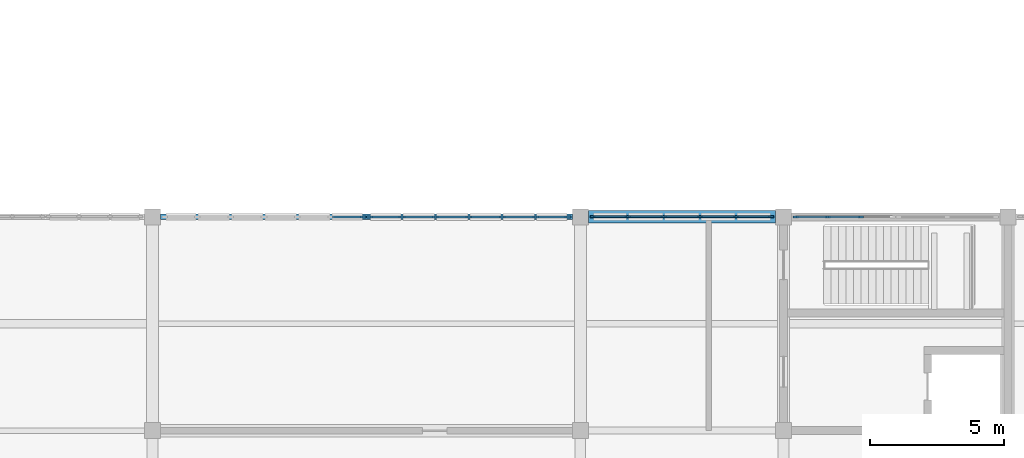
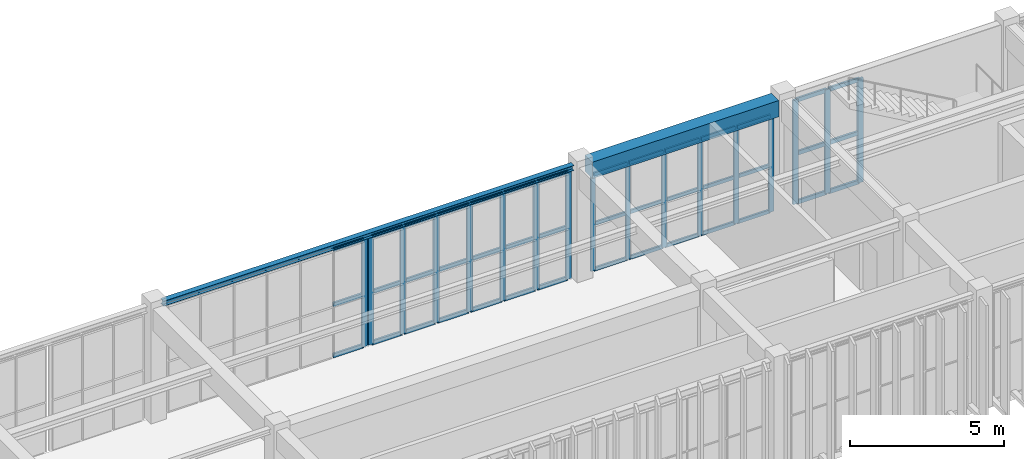
# One storey, part 14 of 64: 59 members, 2 beams, 4 elements without a shape of their own.
"""IFC4 building model written with IfcOpenShell, lengths in metres."""

from ifc_helpers import new_model, si_unit, direction, frame, origin, origin_2d, place, context, subcontext, project, spatial, rectangle, i_section, extrude, material, layer, layer_set, material_profile, profile_set, type_object, element, aggregate, save


model = new_model("IFC4")

# Units and contexts
model_context = context("Model", 3, precision=1e-05, world=origin(), true_north=direction((0.0, 1.0)))
body_context = subcontext(model_context, "Body", "Model", "MODEL_VIEW")
ifc_project = project(units=[si_unit("LENGTHUNIT", "METRE"), si_unit("AREAUNIT", "SQUARE_METRE"), si_unit("VOLUMEUNIT", "CUBIC_METRE"), si_unit("PLANEANGLEUNIT", "RADIAN"), si_unit("MASSUNIT", "GRAM", prefix="KILO")], contexts=[model_context])

# Site, building, storey
site_placement = place(None, origin())
site = spatial("IfcSite", under=ifc_project, at=site_placement, CompositionType="ELEMENT")
building_placement = place(site_placement, origin())
building = spatial("IfcBuilding", under=site, at=building_placement, Name="Cinchona Park Media Centre", CompositionType="ELEMENT")
storey_placement = place(building_placement, frame((0.0, 0.0, 5.39990234375)))
storey = spatial("IfcBuildingStorey", under=building, at=storey_placement, Name="L01", CompositionType="ELEMENT", Elevation=5.39990234375)

# Beams
ifc_material_1 = material(Name="Concrete C40/50", Category="concrete")
ifc_material_profile_1 = material_profile(ifc_material_1, rectangle(XDim=0.47998046875, YDim=0.64990234375, at=origin_2d()), Name="RB 480X650")
ifc_profile_set_1 = profile_set([ifc_material_profile_1], Name="Concrete C40/50")
beam_type_1 = type_object("IfcBeamType", Name="BEAM-B07-RB480X650", PredefinedType="BEAM", material=ifc_profile_set_1)
beam_1_placement = place(storey_placement, frame((79.10009765625, 87.60009765625, 4.215087890625), z_axis=(1.0, 0.0, 0.0), x_axis=(0.0, 1.0, 0.0)))
element("IfcBeam", 1, at=beam_1_placement, inside=storey, type_object=beam_type_1, Name="Beam B07 L01", PredefinedType="BEAM", context=body_context, shape_type="SweptSolid", body=[
    extrude(rectangle(XDim=0.47998046875, YDim=0.64990234375, at=origin_2d()), origin(), (0.0, 0.0, 1.0), 7.0),
])
ifc_material_2 = material(Name="Steel S355", Category="steel")
ifc_material_profile_2 = material_profile(ifc_material_2, i_section(OverallWidth=0.202880859375, OverallDepth=0.202880859375, WebThickness=0.007080078125, FlangeThickness=0.010986328125, at=origin_2d()), Name="W200X46")
ifc_profile_set_2 = profile_set([ifc_material_profile_2], Name="Steel S355")
beam_type_2 = type_object("IfcBeamType", Name="BEAM-B10-W200X46", PredefinedType="BEAM", material=ifc_profile_set_2)
beam_2_placement = place(storey_placement, frame((63.10009765625, 87.60009765625, 4.4384765625), z_axis=(1.0, 0.0, 0.0), x_axis=(0.0, 1.0, 0.0)))
element("IfcBeam", 2, at=beam_2_placement, inside=storey, type_object=beam_type_2, Name="Beam B10 L01", PredefinedType="BEAM", context=body_context, shape_type="SweptSolid", body=[
    extrude(i_section(OverallWidth=0.202880859375, OverallDepth=0.202880859375, WebThickness=0.007080078125, FlangeThickness=0.010986328125, at=origin_2d()), origin(), (0.0, 0.0, 1.0), 15.39990234375),
])

# Curtain wall, members
ifc_material_3 = material(Name="Aluminium Curtain Wall Framing", Category="aluminium")
ifc_layer_1 = layer(ifc_material_3, 0.239990234375)
ifc_layer_set_1 = layer_set([ifc_layer_1], Name="Aluminium Curtain Wall Framing")
curtain_wall_type_1 = type_object("IfcCurtainWallType", Name="CW-CW05", PredefinedType="USERDEFINED", material=ifc_layer_set_1)
curtain_wall_1_placement = place(storey_placement, origin())
curtain_wall_1 = element("IfcCurtainWall", 3, at=curtain_wall_1_placement, inside=storey, type_object=curtain_wall_type_1, Name="Curtain Wall CW05 L01", ObjectType="UNITISED CURTAIN WALL", PredefinedType="USERDEFINED")
ifc_material_4 = material(Name="Anodised Aluminium Alloy 6063-T6", Category="aluminium")
ifc_material_profile_3 = material_profile(ifc_material_4, rectangle(XDim=0.070068359375, YDim=0.179931640625, at=origin_2d()), Name="MUL-70X180")
ifc_profile_set_3 = profile_set([ifc_material_profile_3], Name="Anodised Aluminium Alloy 6063-T6")
member_type_1 = type_object("IfcMemberType", Name="MULLION-MUL02", PredefinedType="MULLION", material=ifc_profile_set_3)
member_1_placement = place(storey_placement, frame((79.2548828125, 87.60009765625, 0.050048828125), z_axis=(0.0, 0.0, 1.0), x_axis=(0.0, 1.0, 0.0)))
member_1 = element("IfcMember", 4, at=member_1_placement, type_object=member_type_1, Name="CW05 mullion 1", PredefinedType="MULLION", context=body_context, shape_type="SweptSolid", body=[
    extrude(rectangle(XDim=0.070068359375, YDim=0.179931640625, at=origin_2d()), origin(), (0.0, 0.0, 1.0), 3.840087890625),
])
member_2_placement = place(storey_placement, frame((80.572021484375, 87.60009765625, 0.050048828125), z_axis=(0.0, 0.0, 1.0), x_axis=(0.0, 1.0, 0.0)))
member_2 = element("IfcMember", 5, at=member_2_placement, type_object=member_type_1, Name="CW05 mullion 2", PredefinedType="MULLION", context=body_context, shape_type="SweptSolid", body=[
    extrude(rectangle(XDim=0.070068359375, YDim=0.179931640625, at=origin_2d()), origin(), (0.0, 0.0, 1.0), 3.840087890625),
])
member_3_placement = place(storey_placement, frame((81.924072265625, 87.60009765625, 0.050048828125), z_axis=(0.0, 0.0, 1.0), x_axis=(0.0, 1.0, 0.0)))
member_3 = element("IfcMember", 6, at=member_3_placement, type_object=member_type_1, Name="CW05 mullion 3", PredefinedType="MULLION", context=body_context, shape_type="SweptSolid", body=[
    extrude(rectangle(XDim=0.070068359375, YDim=0.179931640625, at=origin_2d()), origin(), (0.0, 0.0, 1.0), 3.840087890625),
])
member_4_placement = place(storey_placement, frame((83.27587890625, 87.60009765625, 0.050048828125), z_axis=(0.0, 0.0, 1.0), x_axis=(0.0, 1.0, 0.0)))
member_4 = element("IfcMember", 7, at=member_4_placement, type_object=member_type_1, Name="CW05 mullion 4", PredefinedType="MULLION", context=body_context, shape_type="SweptSolid", body=[
    extrude(rectangle(XDim=0.070068359375, YDim=0.179931640625, at=origin_2d()), origin(), (0.0, 0.0, 1.0), 3.840087890625),
])
member_5_placement = place(storey_placement, frame((84.6279296875, 87.60009765625, 0.050048828125), z_axis=(0.0, 0.0, 1.0), x_axis=(0.0, 1.0, 0.0)))
member_5 = element("IfcMember", 8, at=member_5_placement, type_object=member_type_1, Name="CW05 mullion 5", PredefinedType="MULLION", context=body_context, shape_type="SweptSolid", body=[
    extrude(rectangle(XDim=0.070068359375, YDim=0.179931640625, at=origin_2d()), origin(), (0.0, 0.0, 1.0), 3.840087890625),
])
member_6_placement = place(storey_placement, frame((85.945068359375, 87.60009765625, 0.050048828125), z_axis=(0.0, 0.0, 1.0), x_axis=(0.0, 1.0, 0.0)))
member_6 = element("IfcMember", 9, at=member_6_placement, type_object=member_type_1, Name="CW05 mullion 6", PredefinedType="MULLION", context=body_context, shape_type="SweptSolid", body=[
    extrude(rectangle(XDim=0.070068359375, YDim=0.179931640625, at=origin_2d()), origin(), (0.0, 0.0, 1.0), 3.840087890625),
])

# Curtain wall, member
ifc_material_5 = material(Name="Aluminium Curtain Wall Framing", Category="aluminium")
ifc_layer_2 = layer(ifc_material_5, 0.2099609375)
ifc_layer_set_2 = layer_set([ifc_layer_2], Name="Aluminium Curtain Wall Framing")
curtain_wall_type_2 = type_object("IfcCurtainWallType", Name="CW-CW03", PredefinedType="USERDEFINED", material=ifc_layer_set_2)
curtain_wall_2_placement = place(storey_placement, origin())
curtain_wall_2 = element("IfcCurtainWall", 10, at=curtain_wall_2_placement, inside=storey, type_object=curtain_wall_type_2, Name="Curtain Wall CW03 L01", ObjectType="UNITISED CURTAIN WALL", PredefinedType="USERDEFINED")
ifc_material_6 = material(Name="Anodised Aluminium Alloy 6063-T6", Category="aluminium")
ifc_material_profile_4 = material_profile(ifc_material_6, rectangle(XDim=0.074951171875, YDim=0.2099609375, at=origin_2d()), Name="MUL-75X210")
ifc_profile_set_4 = profile_set([ifc_material_profile_4], Name="Anodised Aluminium Alloy 6063-T6")
member_type_2 = type_object("IfcMemberType", Name="MULLION-MUL03", PredefinedType="MULLION", material=ifc_profile_set_4)
member_7_placement = place(storey_placement, frame((70.6826171875, 87.60009765625, 0.050048828125), z_axis=(0.0, 0.0, 1.0), x_axis=(0.0, 1.0, 0.0)))
member_7 = element("IfcMember", 11, at=member_7_placement, type_object=member_type_2, Name="CW03 mullion 7", PredefinedType="MULLION", context=body_context, shape_type="SweptSolid", body=[
    extrude(rectangle(XDim=0.074951171875, YDim=0.2099609375, at=origin_2d()), origin(), (0.0, 0.0, 1.0), 4.287109375),
])

# Curtain wall, members
ifc_material_7 = material(Name="Aluminium Curtain Wall Framing", Category="aluminium")
ifc_layer_3 = layer(ifc_material_7, 0.22509765625)
ifc_layer_set_3 = layer_set([ifc_layer_3], Name="Aluminium Curtain Wall Framing")
curtain_wall_type_3 = type_object("IfcCurtainWallType", Name="CW-CW04", PredefinedType="USERDEFINED", material=ifc_layer_set_3)
curtain_wall_3_placement = place(storey_placement, origin())
curtain_wall_3 = element("IfcCurtainWall", 12, at=curtain_wall_3_placement, inside=storey, type_object=curtain_wall_type_3, Name="Curtain Wall CW04 L01", ObjectType="UNITISED CURTAIN WALL", PredefinedType="USERDEFINED")
member_8_placement = place(storey_placement, frame((70.91748046875, 87.60009765625, 0.050048828125), z_axis=(0.0, 0.0, 1.0), x_axis=(0.0, 1.0, 0.0)))
member_8 = element("IfcMember", 13, at=member_8_placement, type_object=member_type_2, Name="CW04 mullion 1", PredefinedType="MULLION", context=body_context, shape_type="SweptSolid", body=[
    extrude(rectangle(XDim=0.074951171875, YDim=0.2099609375, at=origin_2d()), origin(), (0.0, 0.0, 1.0), 4.287109375),
])
member_9_placement = place(storey_placement, frame((72.1298828125, 87.60009765625, 0.050048828125), z_axis=(0.0, 0.0, 1.0), x_axis=(0.0, 1.0, 0.0)))
member_9 = element("IfcMember", 14, at=member_9_placement, type_object=member_type_2, Name="CW04 mullion 2", PredefinedType="MULLION", context=body_context, shape_type="SweptSolid", body=[
    extrude(rectangle(XDim=0.074951171875, YDim=0.2099609375, at=origin_2d()), origin(), (0.0, 0.0, 1.0), 4.287109375),
])
member_10_placement = place(storey_placement, frame((73.3798828125, 87.60009765625, 0.050048828125), z_axis=(0.0, 0.0, 1.0), x_axis=(0.0, 1.0, 0.0)))
member_10 = element("IfcMember", 15, at=member_10_placement, type_object=member_type_2, Name="CW04 mullion 3", PredefinedType="MULLION", context=body_context, shape_type="SweptSolid", body=[
    extrude(rectangle(XDim=0.074951171875, YDim=0.2099609375, at=origin_2d()), origin(), (0.0, 0.0, 1.0), 4.287109375),
])
member_11_placement = place(storey_placement, frame((74.6298828125, 87.60009765625, 0.050048828125), z_axis=(0.0, 0.0, 1.0), x_axis=(0.0, 1.0, 0.0)))
member_11 = element("IfcMember", 16, at=member_11_placement, type_object=member_type_2, Name="CW04 mullion 4", PredefinedType="MULLION", context=body_context, shape_type="SweptSolid", body=[
    extrude(rectangle(XDim=0.074951171875, YDim=0.2099609375, at=origin_2d()), origin(), (0.0, 0.0, 1.0), 4.287109375),
])
member_12_placement = place(storey_placement, frame((75.8798828125, 87.60009765625, 0.050048828125), z_axis=(0.0, 0.0, 1.0), x_axis=(0.0, 1.0, 0.0)))
member_12 = element("IfcMember", 17, at=member_12_placement, type_object=member_type_2, Name="CW04 mullion 5", PredefinedType="MULLION", context=body_context, shape_type="SweptSolid", body=[
    extrude(rectangle(XDim=0.074951171875, YDim=0.2099609375, at=origin_2d()), origin(), (0.0, 0.0, 1.0), 4.287109375),
])
member_13_placement = place(storey_placement, frame((77.1298828125, 87.60009765625, 0.050048828125), z_axis=(0.0, 0.0, 1.0), x_axis=(0.0, 1.0, 0.0)))
member_13 = element("IfcMember", 18, at=member_13_placement, type_object=member_type_2, Name="CW04 mullion 6", PredefinedType="MULLION", context=body_context, shape_type="SweptSolid", body=[
    extrude(rectangle(XDim=0.074951171875, YDim=0.2099609375, at=origin_2d()), origin(), (0.0, 0.0, 1.0), 4.287109375),
])
member_14_placement = place(storey_placement, frame((78.342529296875, 87.60009765625, 0.050048828125), z_axis=(0.0, 0.0, 1.0), x_axis=(0.0, 1.0, 0.0)))
member_14 = element("IfcMember", 19, at=member_14_placement, type_object=member_type_2, Name="CW04 mullion 7", PredefinedType="MULLION", context=body_context, shape_type="SweptSolid", body=[
    extrude(rectangle(XDim=0.074951171875, YDim=0.2099609375, at=origin_2d()), origin(), (0.0, 0.0, 1.0), 4.287109375),
])

ifc_material_8 = material(Name="Aluminium Curtain Wall Framing", Category="aluminium")
ifc_layer_4 = layer(ifc_material_8, 0.2548828125)
ifc_layer_set_4 = layer_set([ifc_layer_4], Name="Aluminium Curtain Wall Framing")
curtain_wall_type_4 = type_object("IfcCurtainWallType", Name="CW-CW06", PredefinedType="USERDEFINED", material=ifc_layer_set_4)
curtain_wall_4_placement = place(storey_placement, origin())
curtain_wall_4 = element("IfcCurtainWall", 20, at=curtain_wall_4_placement, inside=storey, type_object=curtain_wall_type_4, Name="Curtain Wall CW06 L01", ObjectType="UNITISED CURTAIN WALL", PredefinedType="USERDEFINED")
member_15_placement = place(storey_placement, frame((86.857421875, 87.60009765625, 0.050048828125), z_axis=(0.0, 0.0, 1.0), x_axis=(0.0, 1.0, 0.0)))
member_15 = element("IfcMember", 21, at=member_15_placement, type_object=member_type_2, Name="CW06 mullion 1", PredefinedType="MULLION", context=body_context, shape_type="SweptSolid", body=[
    extrude(rectangle(XDim=0.074951171875, YDim=0.2099609375, at=origin_2d()), origin(), (0.0, 0.0, 1.0), 4.126953125),
])
member_16_placement = place(storey_placement, frame((88.05322265625, 87.60009765625, 0.050048828125), z_axis=(0.0, 0.0, 1.0), x_axis=(0.0, 1.0, 0.0)))
member_16 = element("IfcMember", 22, at=member_16_placement, type_object=member_type_2, Name="CW06 mullion 2", PredefinedType="MULLION", context=body_context, shape_type="SweptSolid", body=[
    extrude(rectangle(XDim=0.074951171875, YDim=0.2099609375, at=origin_2d()), origin(), (0.0, 0.0, 1.0), 4.126953125),
])
member_17_placement = place(storey_placement, frame((89.28662109375, 87.60009765625, 0.050048828125), z_axis=(0.0, 0.0, 1.0), x_axis=(0.0, 1.0, 0.0)))
member_17 = element("IfcMember", 23, at=member_17_placement, type_object=member_type_2, Name="CW06 mullion 3", PredefinedType="MULLION", context=body_context, shape_type="SweptSolid", body=[
    extrude(rectangle(XDim=0.074951171875, YDim=0.2099609375, at=origin_2d()), origin(), (0.0, 0.0, 1.0), 4.126953125),
])

# Member
ifc_material_9 = material(Name="Anodised Aluminium Alloy 6063-T6", Category="aluminium")
ifc_material_profile_5 = material_profile(ifc_material_9, rectangle(XDim=0.070068359375, YDim=0.139892578125, at=origin_2d()), Name="TRN-70X140")
ifc_profile_set_5 = profile_set([ifc_material_profile_5], Name="Anodised Aluminium Alloy 6063-T6")
member_type_3 = type_object("IfcMemberType", Name="TRANSOM-TRN02", PredefinedType="USERDEFINED", material=ifc_profile_set_5)
member_18_placement = place(storey_placement, frame((79.2900390625, 87.60009765625, 0.085205078125), z_axis=(1.0, 0.0, 0.0), x_axis=(0.0, 1.0, 0.0)))
member_18 = element("IfcMember", 24, at=member_18_placement, type_object=member_type_3, Name="CW05 transom 1.1", ObjectType="TRANSOM", PredefinedType="USERDEFINED", context=body_context, shape_type="SweptSolid", body=[
    extrude(rectangle(XDim=0.070068359375, YDim=0.139892578125, at=origin_2d()), origin(), (0.0, 0.0, 1.0), 1.2470703125),
])

member_19_placement = place(storey_placement, frame((79.2900390625, 87.60009765625, 1.89306640625), z_axis=(1.0, 0.0, 0.0), x_axis=(0.0, 1.0, 0.0)))
member_19 = element("IfcMember", 25, at=member_19_placement, type_object=member_type_3, Name="CW05 transom 1.2", ObjectType="TRANSOM", PredefinedType="USERDEFINED", context=body_context, shape_type="SweptSolid", body=[
    extrude(rectangle(XDim=0.070068359375, YDim=0.139892578125, at=origin_2d()), origin(), (0.0, 0.0, 1.0), 1.2470703125),
])

member_20_placement = place(storey_placement, frame((79.2900390625, 87.60009765625, 3.85498046875), z_axis=(1.0, 0.0, 0.0), x_axis=(0.0, 1.0, 0.0)))
member_20 = element("IfcMember", 26, at=member_20_placement, type_object=member_type_3, Name="CW05 transom 1.3", ObjectType="TRANSOM", PredefinedType="USERDEFINED", context=body_context, shape_type="SweptSolid", body=[
    extrude(rectangle(XDim=0.070068359375, YDim=0.139892578125, at=origin_2d()), origin(), (0.0, 0.0, 1.0), 1.2470703125),
])

member_21_placement = place(storey_placement, frame((80.60693359375, 87.60009765625, 0.085205078125), z_axis=(1.0, 0.0, 0.0), x_axis=(0.0, 1.0, 0.0)))
member_21 = element("IfcMember", 27, at=member_21_placement, type_object=member_type_3, Name="CW05 transom 2.1", ObjectType="TRANSOM", PredefinedType="USERDEFINED", context=body_context, shape_type="SweptSolid", body=[
    extrude(rectangle(XDim=0.070068359375, YDim=0.139892578125, at=origin_2d()), origin(), (0.0, 0.0, 1.0), 1.281982421875),
])

member_22_placement = place(storey_placement, frame((80.60693359375, 87.60009765625, 1.89306640625), z_axis=(1.0, 0.0, 0.0), x_axis=(0.0, 1.0, 0.0)))
member_22 = element("IfcMember", 28, at=member_22_placement, type_object=member_type_3, Name="CW05 transom 2.2", ObjectType="TRANSOM", PredefinedType="USERDEFINED", context=body_context, shape_type="SweptSolid", body=[
    extrude(rectangle(XDim=0.070068359375, YDim=0.139892578125, at=origin_2d()), origin(), (0.0, 0.0, 1.0), 1.281982421875),
])

member_23_placement = place(storey_placement, frame((80.60693359375, 87.60009765625, 3.85498046875), z_axis=(1.0, 0.0, 0.0), x_axis=(0.0, 1.0, 0.0)))
member_23 = element("IfcMember", 29, at=member_23_placement, type_object=member_type_3, Name="CW05 transom 2.3", ObjectType="TRANSOM", PredefinedType="USERDEFINED", context=body_context, shape_type="SweptSolid", body=[
    extrude(rectangle(XDim=0.070068359375, YDim=0.139892578125, at=origin_2d()), origin(), (0.0, 0.0, 1.0), 1.281982421875),
])

member_24_placement = place(storey_placement, frame((81.958984375, 87.60009765625, 0.085205078125), z_axis=(1.0, 0.0, 0.0), x_axis=(0.0, 1.0, 0.0)))
member_24 = element("IfcMember", 30, at=member_24_placement, type_object=member_type_3, Name="CW05 transom 3.1", ObjectType="TRANSOM", PredefinedType="USERDEFINED", context=body_context, shape_type="SweptSolid", body=[
    extrude(rectangle(XDim=0.070068359375, YDim=0.139892578125, at=origin_2d()), origin(), (0.0, 0.0, 1.0), 1.281982421875),
])

member_25_placement = place(storey_placement, frame((81.958984375, 87.60009765625, 1.89306640625), z_axis=(1.0, 0.0, 0.0), x_axis=(0.0, 1.0, 0.0)))
member_25 = element("IfcMember", 31, at=member_25_placement, type_object=member_type_3, Name="CW05 transom 3.2", ObjectType="TRANSOM", PredefinedType="USERDEFINED", context=body_context, shape_type="SweptSolid", body=[
    extrude(rectangle(XDim=0.070068359375, YDim=0.139892578125, at=origin_2d()), origin(), (0.0, 0.0, 1.0), 1.281982421875),
])

member_26_placement = place(storey_placement, frame((81.958984375, 87.60009765625, 3.85498046875), z_axis=(1.0, 0.0, 0.0), x_axis=(0.0, 1.0, 0.0)))
member_26 = element("IfcMember", 32, at=member_26_placement, type_object=member_type_3, Name="CW05 transom 3.3", ObjectType="TRANSOM", PredefinedType="USERDEFINED", context=body_context, shape_type="SweptSolid", body=[
    extrude(rectangle(XDim=0.070068359375, YDim=0.139892578125, at=origin_2d()), origin(), (0.0, 0.0, 1.0), 1.281982421875),
])

member_27_placement = place(storey_placement, frame((83.31103515625, 87.60009765625, 0.085205078125), z_axis=(1.0, 0.0, 0.0), x_axis=(0.0, 1.0, 0.0)))
member_27 = element("IfcMember", 33, at=member_27_placement, type_object=member_type_3, Name="CW05 transom 4.1", ObjectType="TRANSOM", PredefinedType="USERDEFINED", context=body_context, shape_type="SweptSolid", body=[
    extrude(rectangle(XDim=0.070068359375, YDim=0.139892578125, at=origin_2d()), origin(), (0.0, 0.0, 1.0), 1.281982421875),
])

member_28_placement = place(storey_placement, frame((83.31103515625, 87.60009765625, 1.89306640625), z_axis=(1.0, 0.0, 0.0), x_axis=(0.0, 1.0, 0.0)))
member_28 = element("IfcMember", 34, at=member_28_placement, type_object=member_type_3, Name="CW05 transom 4.2", ObjectType="TRANSOM", PredefinedType="USERDEFINED", context=body_context, shape_type="SweptSolid", body=[
    extrude(rectangle(XDim=0.070068359375, YDim=0.139892578125, at=origin_2d()), origin(), (0.0, 0.0, 1.0), 1.281982421875),
])

member_29_placement = place(storey_placement, frame((83.31103515625, 87.60009765625, 3.85498046875), z_axis=(1.0, 0.0, 0.0), x_axis=(0.0, 1.0, 0.0)))
member_29 = element("IfcMember", 35, at=member_29_placement, type_object=member_type_3, Name="CW05 transom 4.3", ObjectType="TRANSOM", PredefinedType="USERDEFINED", context=body_context, shape_type="SweptSolid", body=[
    extrude(rectangle(XDim=0.070068359375, YDim=0.139892578125, at=origin_2d()), origin(), (0.0, 0.0, 1.0), 1.281982421875),
])

member_30_placement = place(storey_placement, frame((84.6630859375, 87.60009765625, 0.085205078125), z_axis=(1.0, 0.0, 0.0), x_axis=(0.0, 1.0, 0.0)))
member_30 = element("IfcMember", 36, at=member_30_placement, type_object=member_type_3, Name="CW05 transom 5.1", ObjectType="TRANSOM", PredefinedType="USERDEFINED", context=body_context, shape_type="SweptSolid", body=[
    extrude(rectangle(XDim=0.070068359375, YDim=0.139892578125, at=origin_2d()), origin(), (0.0, 0.0, 1.0), 1.246826171875),
])

member_31_placement = place(storey_placement, frame((84.6630859375, 87.60009765625, 1.89306640625), z_axis=(1.0, 0.0, 0.0), x_axis=(0.0, 1.0, 0.0)))
member_31 = element("IfcMember", 37, at=member_31_placement, type_object=member_type_3, Name="CW05 transom 5.2", ObjectType="TRANSOM", PredefinedType="USERDEFINED", context=body_context, shape_type="SweptSolid", body=[
    extrude(rectangle(XDim=0.070068359375, YDim=0.139892578125, at=origin_2d()), origin(), (0.0, 0.0, 1.0), 1.246826171875),
])

member_32_placement = place(storey_placement, frame((84.6630859375, 87.60009765625, 3.85498046875), z_axis=(1.0, 0.0, 0.0), x_axis=(0.0, 1.0, 0.0)))
member_32 = element("IfcMember", 38, at=member_32_placement, type_object=member_type_3, Name="CW05 transom 5.3", ObjectType="TRANSOM", PredefinedType="USERDEFINED", context=body_context, shape_type="SweptSolid", body=[
    extrude(rectangle(XDim=0.070068359375, YDim=0.139892578125, at=origin_2d()), origin(), (0.0, 0.0, 1.0), 1.246826171875),
])

aggregate(curtain_wall_1, [member_1, member_2, member_3, member_4, member_5, member_6, member_18, member_19, member_20, member_21, member_22, member_23, member_24, member_25, member_26, member_27, member_28, member_29, member_30, member_31, member_32])

ifc_material_10 = material(Name="Anodised Aluminium Alloy 6063-T6", Category="aluminium")
ifc_material_profile_6 = material_profile(ifc_material_10, rectangle(XDim=0.074951171875, YDim=0.159912109375, at=origin_2d()), Name="TRN-75X160")
ifc_profile_set_6 = profile_set([ifc_material_profile_6], Name="Anodised Aluminium Alloy 6063-T6")
member_type_4 = type_object("IfcMemberType", Name="TRANSOM-TRN03", PredefinedType="USERDEFINED", material=ifc_profile_set_6)
member_33_placement = place(storey_placement, frame((69.507568359375, 87.60009765625, 0.087646484375), z_axis=(1.0, 0.0, 0.0), x_axis=(0.0, 1.0, 0.0)))
member_33 = element("IfcMember", 39, at=member_33_placement, type_object=member_type_4, Name="CW03 transom 6.1", ObjectType="TRANSOM", PredefinedType="USERDEFINED", context=body_context, shape_type="SweptSolid", body=[
    extrude(rectangle(XDim=0.074951171875, YDim=0.159912109375, at=origin_2d()), origin(), (0.0, 0.0, 1.0), 1.137451171875),
])

member_34_placement = place(storey_placement, frame((69.507568359375, 87.60009765625, 2.108154296875), z_axis=(1.0, 0.0, 0.0), x_axis=(0.0, 1.0, 0.0)))
member_34 = element("IfcMember", 40, at=member_34_placement, type_object=member_type_4, Name="CW03 transom 6.2", ObjectType="TRANSOM", PredefinedType="USERDEFINED", context=body_context, shape_type="SweptSolid", body=[
    extrude(rectangle(XDim=0.074951171875, YDim=0.159912109375, at=origin_2d()), origin(), (0.0, 0.0, 1.0), 1.137451171875),
])

member_35_placement = place(storey_placement, frame((69.507568359375, 87.60009765625, 4.299560546875), z_axis=(1.0, 0.0, 0.0), x_axis=(0.0, 1.0, 0.0)))
member_35 = element("IfcMember", 41, at=member_35_placement, type_object=member_type_4, Name="CW03 transom 6.3", ObjectType="TRANSOM", PredefinedType="USERDEFINED", context=body_context, shape_type="SweptSolid", body=[
    extrude(rectangle(XDim=0.074951171875, YDim=0.159912109375, at=origin_2d()), origin(), (0.0, 0.0, 1.0), 1.137451171875),
])

aggregate(curtain_wall_2, [member_7, member_33, member_34, member_35])

member_36_placement = place(storey_placement, frame((70.955078125, 87.60009765625, 0.087646484375), z_axis=(1.0, 0.0, 0.0), x_axis=(0.0, 1.0, 0.0)))
member_36 = element("IfcMember", 42, at=member_36_placement, type_object=member_type_4, Name="CW04 transom 1.1", ObjectType="TRANSOM", PredefinedType="USERDEFINED", context=body_context, shape_type="SweptSolid", body=[
    extrude(rectangle(XDim=0.074951171875, YDim=0.159912109375, at=origin_2d()), origin(), (0.0, 0.0, 1.0), 1.137451171875),
])

member_37_placement = place(storey_placement, frame((70.955078125, 87.60009765625, 2.108154296875), z_axis=(1.0, 0.0, 0.0), x_axis=(0.0, 1.0, 0.0)))
member_37 = element("IfcMember", 43, at=member_37_placement, type_object=member_type_4, Name="CW04 transom 1.2", ObjectType="TRANSOM", PredefinedType="USERDEFINED", context=body_context, shape_type="SweptSolid", body=[
    extrude(rectangle(XDim=0.074951171875, YDim=0.159912109375, at=origin_2d()), origin(), (0.0, 0.0, 1.0), 1.137451171875),
])

member_38_placement = place(storey_placement, frame((70.955078125, 87.60009765625, 4.299560546875), z_axis=(1.0, 0.0, 0.0), x_axis=(0.0, 1.0, 0.0)))
member_38 = element("IfcMember", 44, at=member_38_placement, type_object=member_type_4, Name="CW04 transom 1.3", ObjectType="TRANSOM", PredefinedType="USERDEFINED", context=body_context, shape_type="SweptSolid", body=[
    extrude(rectangle(XDim=0.074951171875, YDim=0.159912109375, at=origin_2d()), origin(), (0.0, 0.0, 1.0), 1.137451171875),
])

member_39_placement = place(storey_placement, frame((72.16748046875, 87.60009765625, 0.087646484375), z_axis=(1.0, 0.0, 0.0), x_axis=(0.0, 1.0, 0.0)))
member_39 = element("IfcMember", 45, at=member_39_placement, type_object=member_type_4, Name="CW04 transom 2.1", ObjectType="TRANSOM", PredefinedType="USERDEFINED", context=body_context, shape_type="SweptSolid", body=[
    extrude(rectangle(XDim=0.074951171875, YDim=0.159912109375, at=origin_2d()), origin(), (0.0, 0.0, 1.0), 1.175048828125),
])

member_40_placement = place(storey_placement, frame((72.16748046875, 87.60009765625, 2.108154296875), z_axis=(1.0, 0.0, 0.0), x_axis=(0.0, 1.0, 0.0)))
member_40 = element("IfcMember", 46, at=member_40_placement, type_object=member_type_4, Name="CW04 transom 2.2", ObjectType="TRANSOM", PredefinedType="USERDEFINED", context=body_context, shape_type="SweptSolid", body=[
    extrude(rectangle(XDim=0.074951171875, YDim=0.159912109375, at=origin_2d()), origin(), (0.0, 0.0, 1.0), 1.175048828125),
])

member_41_placement = place(storey_placement, frame((72.16748046875, 87.60009765625, 4.299560546875), z_axis=(1.0, 0.0, 0.0), x_axis=(0.0, 1.0, 0.0)))
member_41 = element("IfcMember", 47, at=member_41_placement, type_object=member_type_4, Name="CW04 transom 2.3", ObjectType="TRANSOM", PredefinedType="USERDEFINED", context=body_context, shape_type="SweptSolid", body=[
    extrude(rectangle(XDim=0.074951171875, YDim=0.159912109375, at=origin_2d()), origin(), (0.0, 0.0, 1.0), 1.175048828125),
])

member_42_placement = place(storey_placement, frame((73.41748046875, 87.60009765625, 0.087646484375), z_axis=(1.0, 0.0, 0.0), x_axis=(0.0, 1.0, 0.0)))
member_42 = element("IfcMember", 48, at=member_42_placement, type_object=member_type_4, Name="CW04 transom 3.1", ObjectType="TRANSOM", PredefinedType="USERDEFINED", context=body_context, shape_type="SweptSolid", body=[
    extrude(rectangle(XDim=0.074951171875, YDim=0.159912109375, at=origin_2d()), origin(), (0.0, 0.0, 1.0), 1.175048828125),
])

member_43_placement = place(storey_placement, frame((73.41748046875, 87.60009765625, 2.108154296875), z_axis=(1.0, 0.0, 0.0), x_axis=(0.0, 1.0, 0.0)))
member_43 = element("IfcMember", 49, at=member_43_placement, type_object=member_type_4, Name="CW04 transom 3.2", ObjectType="TRANSOM", PredefinedType="USERDEFINED", context=body_context, shape_type="SweptSolid", body=[
    extrude(rectangle(XDim=0.074951171875, YDim=0.159912109375, at=origin_2d()), origin(), (0.0, 0.0, 1.0), 1.175048828125),
])

member_44_placement = place(storey_placement, frame((73.41748046875, 87.60009765625, 4.299560546875), z_axis=(1.0, 0.0, 0.0), x_axis=(0.0, 1.0, 0.0)))
member_44 = element("IfcMember", 50, at=member_44_placement, type_object=member_type_4, Name="CW04 transom 3.3", ObjectType="TRANSOM", PredefinedType="USERDEFINED", context=body_context, shape_type="SweptSolid", body=[
    extrude(rectangle(XDim=0.074951171875, YDim=0.159912109375, at=origin_2d()), origin(), (0.0, 0.0, 1.0), 1.175048828125),
])

member_45_placement = place(storey_placement, frame((74.66748046875, 87.60009765625, 0.087646484375), z_axis=(1.0, 0.0, 0.0), x_axis=(0.0, 1.0, 0.0)))
member_45 = element("IfcMember", 51, at=member_45_placement, type_object=member_type_4, Name="CW04 transom 4.1", ObjectType="TRANSOM", PredefinedType="USERDEFINED", context=body_context, shape_type="SweptSolid", body=[
    extrude(rectangle(XDim=0.074951171875, YDim=0.159912109375, at=origin_2d()), origin(), (0.0, 0.0, 1.0), 1.175048828125),
])

member_46_placement = place(storey_placement, frame((74.66748046875, 87.60009765625, 2.108154296875), z_axis=(1.0, 0.0, 0.0), x_axis=(0.0, 1.0, 0.0)))
member_46 = element("IfcMember", 52, at=member_46_placement, type_object=member_type_4, Name="CW04 transom 4.2", ObjectType="TRANSOM", PredefinedType="USERDEFINED", context=body_context, shape_type="SweptSolid", body=[
    extrude(rectangle(XDim=0.074951171875, YDim=0.159912109375, at=origin_2d()), origin(), (0.0, 0.0, 1.0), 1.175048828125),
])

member_47_placement = place(storey_placement, frame((74.66748046875, 87.60009765625, 4.299560546875), z_axis=(1.0, 0.0, 0.0), x_axis=(0.0, 1.0, 0.0)))
member_47 = element("IfcMember", 53, at=member_47_placement, type_object=member_type_4, Name="CW04 transom 4.3", ObjectType="TRANSOM", PredefinedType="USERDEFINED", context=body_context, shape_type="SweptSolid", body=[
    extrude(rectangle(XDim=0.074951171875, YDim=0.159912109375, at=origin_2d()), origin(), (0.0, 0.0, 1.0), 1.175048828125),
])

member_48_placement = place(storey_placement, frame((75.91748046875, 87.60009765625, 0.087646484375), z_axis=(1.0, 0.0, 0.0), x_axis=(0.0, 1.0, 0.0)))
member_48 = element("IfcMember", 54, at=member_48_placement, type_object=member_type_4, Name="CW04 transom 5.1", ObjectType="TRANSOM", PredefinedType="USERDEFINED", context=body_context, shape_type="SweptSolid", body=[
    extrude(rectangle(XDim=0.074951171875, YDim=0.159912109375, at=origin_2d()), origin(), (0.0, 0.0, 1.0), 1.175048828125),
])

member_49_placement = place(storey_placement, frame((75.91748046875, 87.60009765625, 2.108154296875), z_axis=(1.0, 0.0, 0.0), x_axis=(0.0, 1.0, 0.0)))
member_49 = element("IfcMember", 55, at=member_49_placement, type_object=member_type_4, Name="CW04 transom 5.2", ObjectType="TRANSOM", PredefinedType="USERDEFINED", context=body_context, shape_type="SweptSolid", body=[
    extrude(rectangle(XDim=0.074951171875, YDim=0.159912109375, at=origin_2d()), origin(), (0.0, 0.0, 1.0), 1.175048828125),
])

member_50_placement = place(storey_placement, frame((75.91748046875, 87.60009765625, 4.299560546875), z_axis=(1.0, 0.0, 0.0), x_axis=(0.0, 1.0, 0.0)))
member_50 = element("IfcMember", 56, at=member_50_placement, type_object=member_type_4, Name="CW04 transom 5.3", ObjectType="TRANSOM", PredefinedType="USERDEFINED", context=body_context, shape_type="SweptSolid", body=[
    extrude(rectangle(XDim=0.074951171875, YDim=0.159912109375, at=origin_2d()), origin(), (0.0, 0.0, 1.0), 1.175048828125),
])

member_51_placement = place(storey_placement, frame((77.16748046875, 87.60009765625, 0.087646484375), z_axis=(1.0, 0.0, 0.0), x_axis=(0.0, 1.0, 0.0)))
member_51 = element("IfcMember", 57, at=member_51_placement, type_object=member_type_4, Name="CW04 transom 6.1", ObjectType="TRANSOM", PredefinedType="USERDEFINED", context=body_context, shape_type="SweptSolid", body=[
    extrude(rectangle(XDim=0.074951171875, YDim=0.159912109375, at=origin_2d()), origin(), (0.0, 0.0, 1.0), 1.137451171875),
])

member_52_placement = place(storey_placement, frame((77.16748046875, 87.60009765625, 2.108154296875), z_axis=(1.0, 0.0, 0.0), x_axis=(0.0, 1.0, 0.0)))
member_52 = element("IfcMember", 58, at=member_52_placement, type_object=member_type_4, Name="CW04 transom 6.2", ObjectType="TRANSOM", PredefinedType="USERDEFINED", context=body_context, shape_type="SweptSolid", body=[
    extrude(rectangle(XDim=0.074951171875, YDim=0.159912109375, at=origin_2d()), origin(), (0.0, 0.0, 1.0), 1.137451171875),
])

member_53_placement = place(storey_placement, frame((77.16748046875, 87.60009765625, 4.299560546875), z_axis=(1.0, 0.0, 0.0), x_axis=(0.0, 1.0, 0.0)))
member_53 = element("IfcMember", 59, at=member_53_placement, type_object=member_type_4, Name="CW04 transom 6.3", ObjectType="TRANSOM", PredefinedType="USERDEFINED", context=body_context, shape_type="SweptSolid", body=[
    extrude(rectangle(XDim=0.074951171875, YDim=0.159912109375, at=origin_2d()), origin(), (0.0, 0.0, 1.0), 1.137451171875),
])

aggregate(curtain_wall_3, [member_8, member_9, member_10, member_11, member_12, member_13, member_14, member_36, member_37, member_38, member_39, member_40, member_41, member_42, member_43, member_44, member_45, member_46, member_47, member_48, member_49, member_50, member_51, member_52, member_53])

member_54_placement = place(storey_placement, frame((86.89501953125, 87.60009765625, 0.087646484375), z_axis=(1.0, 0.0, 0.0), x_axis=(0.0, 1.0, 0.0)))
member_54 = element("IfcMember", 60, at=member_54_placement, type_object=member_type_4, Name="CW06 transom 1.1", ObjectType="TRANSOM", PredefinedType="USERDEFINED", context=body_context, shape_type="SweptSolid", body=[
    extrude(rectangle(XDim=0.074951171875, YDim=0.159912109375, at=origin_2d()), origin(), (0.0, 0.0, 1.0), 1.120849609375),
])

member_55_placement = place(storey_placement, frame((86.89501953125, 87.60009765625, 2.031005859375), z_axis=(1.0, 0.0, 0.0), x_axis=(0.0, 1.0, 0.0)))
member_55 = element("IfcMember", 61, at=member_55_placement, type_object=member_type_4, Name="CW06 transom 1.2", ObjectType="TRANSOM", PredefinedType="USERDEFINED", context=body_context, shape_type="SweptSolid", body=[
    extrude(rectangle(XDim=0.074951171875, YDim=0.159912109375, at=origin_2d()), origin(), (0.0, 0.0, 1.0), 1.120849609375),
])

member_56_placement = place(storey_placement, frame((86.89501953125, 87.60009765625, 4.1396484375), z_axis=(1.0, 0.0, 0.0), x_axis=(0.0, 1.0, 0.0)))
member_56 = element("IfcMember", 62, at=member_56_placement, type_object=member_type_4, Name="CW06 transom 1.3", ObjectType="TRANSOM", PredefinedType="USERDEFINED", context=body_context, shape_type="SweptSolid", body=[
    extrude(rectangle(XDim=0.074951171875, YDim=0.159912109375, at=origin_2d()), origin(), (0.0, 0.0, 1.0), 1.120849609375),
])

member_57_placement = place(storey_placement, frame((88.0908203125, 87.60009765625, 0.087646484375), z_axis=(1.0, 0.0, 0.0), x_axis=(0.0, 1.0, 0.0)))
member_57 = element("IfcMember", 63, at=member_57_placement, type_object=member_type_4, Name="CW06 transom 2.1", ObjectType="TRANSOM", PredefinedType="USERDEFINED", context=body_context, shape_type="SweptSolid", body=[
    extrude(rectangle(XDim=0.074951171875, YDim=0.159912109375, at=origin_2d()), origin(), (0.0, 0.0, 1.0), 1.158447265625),
])

member_58_placement = place(storey_placement, frame((88.0908203125, 87.60009765625, 2.031005859375), z_axis=(1.0, 0.0, 0.0), x_axis=(0.0, 1.0, 0.0)))
member_58 = element("IfcMember", 64, at=member_58_placement, type_object=member_type_4, Name="CW06 transom 2.2", ObjectType="TRANSOM", PredefinedType="USERDEFINED", context=body_context, shape_type="SweptSolid", body=[
    extrude(rectangle(XDim=0.074951171875, YDim=0.159912109375, at=origin_2d()), origin(), (0.0, 0.0, 1.0), 1.158447265625),
])

member_59_placement = place(storey_placement, frame((88.0908203125, 87.60009765625, 4.1396484375), z_axis=(1.0, 0.0, 0.0), x_axis=(0.0, 1.0, 0.0)))
member_59 = element("IfcMember", 65, at=member_59_placement, type_object=member_type_4, Name="CW06 transom 2.3", ObjectType="TRANSOM", PredefinedType="USERDEFINED", context=body_context, shape_type="SweptSolid", body=[
    extrude(rectangle(XDim=0.074951171875, YDim=0.159912109375, at=origin_2d()), origin(), (0.0, 0.0, 1.0), 1.158447265625),
])

aggregate(curtain_wall_4, [member_15, member_16, member_17, member_54, member_55, member_56, member_57, member_58, member_59])

save(model, "model.ifc")
